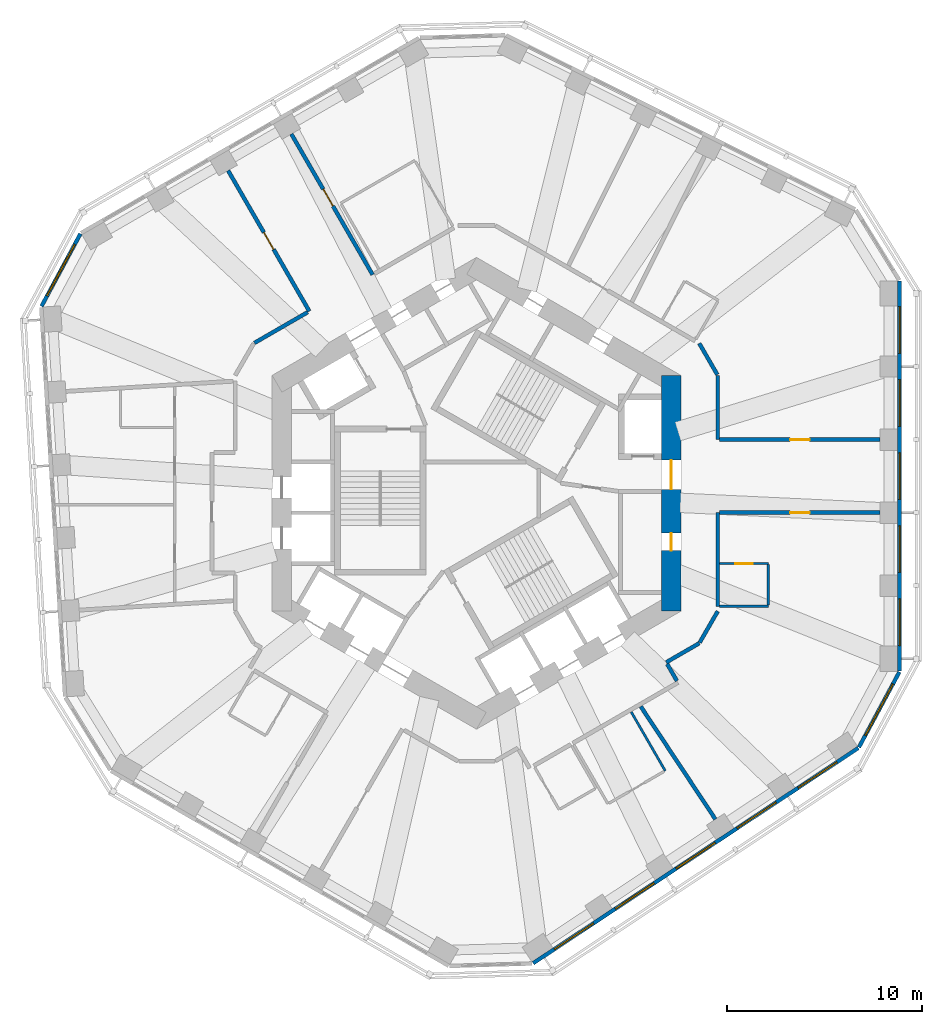
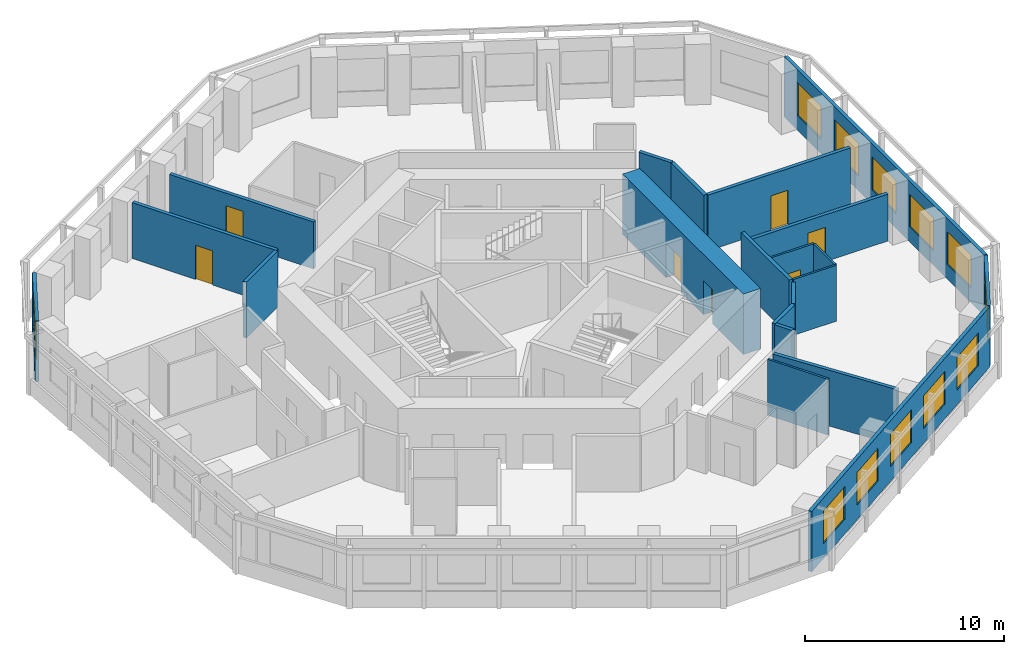
# One storey, part 6 of 11: 21 walls, 12 windows, 7 doors, 19 openings.
"""IFC4 building model written with IfcOpenShell, lengths in metres."""

from ifc_helpers import new_model, si_unit, direction, frame, frame_2d, origin, place, context, subcontext, project, spatial, rectangle, extrude, material, layer, layer_set, type_object, element, fill, save


model = new_model("IFC4")

# Units and contexts
model_context = context("Model", 3, precision=1e-05, world=origin(), true_north=direction((0.0, 1.0)))
body_context = subcontext(model_context, "Body", "Model", "MODEL_VIEW")
ifc_project = project(units=[si_unit("LENGTHUNIT", "METRE"), si_unit("AREAUNIT", "SQUARE_METRE"), si_unit("VOLUMEUNIT", "CUBIC_METRE"), si_unit("PLANEANGLEUNIT", "RADIAN"), si_unit("MASSUNIT", "GRAM", prefix="KILO")], contexts=[model_context])

# Site, building, storey
site_placement = place(None, origin())
site = spatial("IfcSite", under=ifc_project, at=site_placement, CompositionType="ELEMENT")
building_placement = place(site_placement, origin())
building = spatial("IfcBuilding", under=site, at=building_placement, Name="Vanh Sen Convention Tower", CompositionType="ELEMENT")
storey_placement = place(building_placement, frame((0.0, 0.0, 146.60009765625)))
storey = spatial("IfcBuildingStorey", under=building, at=storey_placement, Name="L35", CompositionType="ELEMENT", Elevation=146.60009765625)

# Wall
ifc_material_1 = material(Name="Moisture-resistant gypsum board on steel studs", Category="steel")
ifc_layer_1 = layer(ifc_material_1, 0.1201171875)
ifc_layer_set_1 = layer_set([ifc_layer_1], Name="Moisture-resistant gypsum board on steel studs")
wall_type_1 = type_object("IfcWallType", Name="Bathroom partition 120", PredefinedType="PARTITIONING", material=ifc_layer_set_1)
wall_1_placement = place(storey_placement, frame((7.949462890625, -11.23095703125, 0.0), z_axis=(0.0, 0.0, 1.0), x_axis=(0.500010275428, -0.866019471182, 0.0)))
element("IfcWall", 1, at=wall_1_placement, inside=storey, type_object=wall_type_1, Name="Bathroom partition 120", PredefinedType="PARTITIONING", context=body_context, shape_type="SweptSolid", body=[
    extrude(rectangle(XDim=3.5, YDim=0.1201171875, at=frame_2d((1.75, 0.0))), origin(), (0.0, 0.0, 1.0), 3.419921875),
])

# Wall, opening, door
wall_2_placement = place(storey_placement, frame((12.5, -3.6123046875, 0.0), z_axis=(0.0, 0.0, 1.0), x_axis=(1.0, 0.0, 0.0)))
wall_2 = element("IfcWall", 2, at=wall_2_placement, inside=storey, type_object=wall_type_1, Name="Bathroom partition 120", PredefinedType="PARTITIONING", context=body_context, shape_type="SweptSolid", body=[
    extrude(rectangle(XDim=2.5, YDim=0.1201171875, at=frame_2d((1.25, 0.0))), origin(), (0.0, 0.0, 1.0), 3.419921875),
])
opening_1_placement = place(wall_2_placement, frame((0.800048828125, 0.0, 0.0)))
opening_1 = element("IfcOpeningElement", 3, at=opening_1_placement, cuts=wall_2, Name="Opening D35117", PredefinedType="OPENING", context=body_context, shape_type="SweptSolid", body=[
    extrude(rectangle(XDim=0.89990234375, YDim=2.10009765625, at=frame_2d((0.449951171875, 1.050048828125))), frame((0.0, 0.070068359375, 0.0), z_axis=(0.0, -1.0, 0.0), x_axis=(1.0, 0.0, 0.0)), (0.0, 0.0, 1.0), 0.14013671875),
])
ifc_material_2 = material(Name="Laminate door in steel frame", Category="steel")
door_type_1 = type_object("IfcDoorType", Name="Room internal door 900", OperationType="SINGLE_SWING_LEFT", PredefinedType="DOOR", material=ifc_material_2)
door_1_placement = place(opening_1_placement, origin())
door_1 = element("IfcDoor", 4, at=door_1_placement, inside=storey, type_object=door_type_1, Name="Internal room door D35117", OperationType="SINGLE_SWING_LEFT", OverallHeight=2.10009765625, OverallWidth=0.89990234375, PredefinedType="DOOR", context=body_context, shape_type="SweptSolid", body=[
    extrude(rectangle(XDim=0.89990234375, YDim=2.10009765625, at=frame_2d((0.449951171875, 1.050048828125))), frame((0.0, 0.02490234375, 0.0), z_axis=(0.0, -1.0, 0.0), x_axis=(1.0, 0.0, 0.0)), (0.0, 0.0, 1.0), 0.050048828125),
])
fill(opening_1, door_1)

# Walls
wall_3_placement = place(storey_placement, frame((15.0, -5.812255859375, 0.0), z_axis=(0.0, 0.0, 1.0), x_axis=(-1.0, 0.0, 0.0)))
element("IfcWall", 5, at=wall_3_placement, inside=storey, type_object=wall_type_1, Name="Bathroom partition 120", PredefinedType="PARTITIONING", context=body_context, shape_type="SweptSolid", body=[
    extrude(rectangle(XDim=2.5, YDim=0.1201171875, at=frame_2d((1.25, 0.0))), origin(), (0.0, 0.0, 1.0), 3.419921875),
])
wall_4_placement = place(storey_placement, frame((15.0, -3.672119140625, 0.0), z_axis=(0.0, 0.0, 1.0), x_axis=(0.0, -1.0, 0.0)))
element("IfcWall", 6, at=wall_4_placement, inside=storey, type_object=wall_type_1, Name="Bathroom partition 120", PredefinedType="PARTITIONING", context=body_context, shape_type="SweptSolid", body=[
    extrude(rectangle(XDim=2.080078125, YDim=0.1201171875, at=frame_2d((1.0400390625, 0.0))), origin(), (0.0, 0.0, 1.0), 3.419921875),
])

# Wall, openings, doors
ifc_material_3 = material(Name="Concrete C80/95", Category="concrete")
ifc_layer_2 = layer(ifc_material_3, 1.0)
ifc_layer_set_2 = layer_set([ifc_layer_2], Name="Concrete C80/95")
wall_type_2 = type_object("IfcWallType", Name="Core outer wall 1000 C80/95", PredefinedType="SHEAR", material=ifc_layer_set_2)
wall_5_placement = place(storey_placement, frame((10.0, -6.062255859375, 0.0), z_axis=(0.0, 0.0, 1.0), x_axis=(0.0, 1.0, 0.0)))
wall_5 = element("IfcWall", 7, at=wall_5_placement, inside=storey, type_object=wall_type_2, Name="Core wall face E L35", PredefinedType="SHEAR", context=body_context, shape_type="SweptSolid", body=[
    extrude(rectangle(XDim=12.12451171875, YDim=1.0, at=frame_2d((6.062255859375, 0.0))), origin(), (0.0, 0.0, 1.0), 3.699951171875),
])
opening_2_placement = place(wall_5_placement, frame((6.26220703125, 0.0, 0.0)))
opening_2 = element("IfcOpeningElement", 8, at=opening_2_placement, cuts=wall_5, Name="Opening D35001", PredefinedType="OPENING", context=body_context, shape_type="SweptSolid", body=[
    extrude(rectangle(XDim=1.5, YDim=2.10009765625, at=frame_2d((0.75, 1.050048828125))), frame((0.0, 0.510009765625, 0.0), z_axis=(0.0, -1.0, 0.0), x_axis=(1.0, 0.0, 0.0)), (0.0, 0.0, 1.0), 1.02001953125),
])
opening_3_placement = place(wall_5_placement, frame((3.1123046875, 0.0, 0.0)))
opening_3 = element("IfcOpeningElement", 9, at=opening_3_placement, cuts=wall_5, Name="Opening D35010", PredefinedType="OPENING", context=body_context, shape_type="SweptSolid", body=[
    extrude(rectangle(XDim=0.89990234375, YDim=2.10009765625, at=frame_2d((0.449951171875, 1.050048828125))), frame((0.0, 0.510009765625, 0.0), z_axis=(0.0, -1.0, 0.0), x_axis=(1.0, 0.0, 0.0)), (0.0, 0.0, 1.0), 1.02001953125),
])
ifc_material_4 = material(Name="Steel S355", Category="steel")
door_type_2 = type_object("IfcDoorType", Name="Plant door 900", OperationType="SINGLE_SWING_LEFT", PredefinedType="DOOR", material=ifc_material_4)
door_2_placement = place(opening_3_placement, origin())
door_2 = element("IfcDoor", 10, at=door_2_placement, inside=storey, type_object=door_type_2, Name="Plant door D35010", OperationType="SINGLE_SWING_LEFT", OverallHeight=2.10009765625, OverallWidth=0.89990234375, PredefinedType="DOOR", context=body_context, shape_type="SweptSolid", body=[
    extrude(rectangle(XDim=0.89990234375, YDim=2.10009765625, at=frame_2d((0.449951171875, 1.050048828125))), frame((0.0, 0.02490234375, 0.0), z_axis=(0.0, -1.0, 0.0), x_axis=(1.0, 0.0, 0.0)), (0.0, 0.0, 1.0), 0.050048828125),
])
fill(opening_3, door_2)
door_type_3 = type_object("IfcDoorType", Name="Stair lobby door 1500", OperationType="DOUBLE_DOOR_SINGLE_SWING", PredefinedType="DOOR", material=ifc_material_4)
door_3_placement = place(opening_2_placement, origin())
door_3 = element("IfcDoor", 11, at=door_3_placement, inside=storey, type_object=door_type_3, Name="Stair lobby door D35001", OperationType="DOUBLE_DOOR_SINGLE_SWING", OverallHeight=2.10009765625, OverallWidth=1.5, PredefinedType="DOOR", context=body_context, shape_type="SweptSolid", body=[
    extrude(rectangle(XDim=1.5, YDim=2.10009765625, at=frame_2d((0.75, 1.050048828125))), frame((0.0, 0.02490234375, 0.0), z_axis=(0.0, -1.0, 0.0), x_axis=(1.0, 0.0, 0.0)), (0.0, 0.0, 1.0), 0.050048828125),
])
fill(opening_2, door_3)

# Wall, opening, door
ifc_material_5 = material(Name="Gypsum board on steel studs with mineral wool", Category="steel")
ifc_layer_3 = layer(ifc_material_5, 0.199951171875)
ifc_layer_set_3 = layer_set([ifc_layer_3], Name="Gypsum board on steel studs with mineral wool")
wall_type_3 = type_object("IfcWallType", Name="Corridor partition wall 200", PredefinedType="PARTITIONING", material=ifc_layer_set_3)
wall_6_placement = place(storey_placement, frame((-12.766357421875, 16.58935546875, 0.0), z_axis=(0.0, 0.0, 1.0), x_axis=(0.500010139422, -0.866019549707, 0.0)))
wall_6 = element("IfcWall", 12, at=wall_6_placement, inside=storey, type_object=wall_type_3, Name="Corridor partition wall 200", PredefinedType="PARTITIONING", context=body_context, shape_type="SweptSolid", body=[
    extrude(rectangle(XDim=8.349853515625, YDim=0.199951171875, at=frame_2d((4.1748046875, 0.0))), origin(), (0.0, 0.0, 1.0), 3.419921875),
])
opening_4_placement = place(wall_6_placement, frame((3.675048828125, 0.0, 0.0)))
opening_4 = element("IfcOpeningElement", 13, at=opening_4_placement, cuts=wall_6, Name="Opening D35106", PredefinedType="OPENING", context=body_context, shape_type="SweptSolid", body=[
    extrude(rectangle(XDim=1.0, YDim=2.10009765625, at=frame_2d((0.5, 1.050048828125))), frame((0.0, 0.10986328125, 0.0), z_axis=(0.0, -1.0, 0.0), x_axis=(1.0, 0.0, 0.0)), (0.0, 0.0, 1.0), 0.219970703125),
])
ifc_material_6 = material(Name="Glazed fire door in steel frame", Category="steel")
door_type_4 = type_object("IfcDoorType", Name="Tenant entrance door 1000", OperationType="SINGLE_SWING_LEFT", PredefinedType="DOOR", material=ifc_material_6)
door_4_placement = place(opening_4_placement, origin())
door_4 = element("IfcDoor", 14, at=door_4_placement, inside=storey, type_object=door_type_4, Name="Tenant suite entrance door D35106", OperationType="SINGLE_SWING_LEFT", OverallHeight=2.10009765625, OverallWidth=1.0, PredefinedType="DOOR", context=body_context, shape_type="SweptSolid", body=[
    extrude(rectangle(XDim=1.0, YDim=2.10009765625, at=frame_2d((0.5, 1.050048828125))), frame((0.0, 0.02490234375, 0.0), z_axis=(0.0, -1.0, 0.0), x_axis=(1.0, 0.0, 0.0)), (0.0, 0.0, 1.0), 0.050048828125),
])
fill(opening_4, door_4)

wall_7_placement = place(storey_placement, frame((-9.51513671875, 18.46630859375, 0.0), z_axis=(0.0, 0.0, 1.0), x_axis=(0.500010139422, -0.866019549707, 0.0)))
wall_7 = element("IfcWall", 15, at=wall_7_placement, inside=storey, type_object=wall_type_3, Name="Corridor partition wall 200", PredefinedType="PARTITIONING", context=body_context, shape_type="SweptSolid", body=[
    extrude(rectangle(XDim=8.349853515625, YDim=0.199951171875, at=frame_2d((4.1748046875, 0.0))), origin(), (0.0, 0.0, 1.0), 2.869873046875),
])
opening_5_placement = place(wall_7_placement, frame((3.27490234375, 0.0, 0.0)))
opening_5 = element("IfcOpeningElement", 16, at=opening_5_placement, cuts=wall_7, Name="Opening D35104", PredefinedType="OPENING", context=body_context, shape_type="SweptSolid", body=[
    extrude(rectangle(XDim=1.0, YDim=2.10009765625, at=frame_2d((0.5, 1.050048828125))), frame((0.0, 0.10986328125, 0.0), z_axis=(0.0, -1.0, 0.0), x_axis=(1.0, 0.0, 0.0)), (0.0, 0.0, 1.0), 0.219970703125),
])
door_5_placement = place(opening_5_placement, origin())
door_5 = element("IfcDoor", 17, at=door_5_placement, inside=storey, type_object=door_type_4, Name="Tenant suite entrance door D35104", OperationType="SINGLE_SWING_LEFT", OverallHeight=2.10009765625, OverallWidth=1.0, PredefinedType="DOOR", context=body_context, shape_type="SweptSolid", body=[
    extrude(rectangle(XDim=1.0, YDim=2.10009765625, at=frame_2d((0.5, 1.050048828125))), frame((0.0, 0.02490234375, 0.0), z_axis=(0.0, -1.0, 0.0), x_axis=(1.0, 0.0, 0.0)), (0.0, 0.0, 1.0), 0.050048828125),
])
fill(opening_5, door_5)

# Walls
wall_8_placement = place(storey_placement, frame((-8.677978515625, 9.30810546875, 0.0), z_axis=(0.0, 0.0, 1.0), x_axis=(-0.866000359435, -0.500043375578, 0.0)))
element("IfcWall", 18, at=wall_8_placement, inside=storey, type_object=wall_type_3, Name="Corridor partition wall 200", PredefinedType="PARTITIONING", context=body_context, shape_type="SweptSolid", body=[
    extrude(rectangle(XDim=3.160888671875, YDim=0.199951171875, at=frame_2d((1.58056640625, 0.0))), origin(), (0.0, 0.0, 1.0), 3.419921875),
])
wall_9_placement = place(storey_placement, frame((9.751708984375, -8.688232421875, 0.0), z_axis=(0.0, 0.0, 1.0), x_axis=(0.865974105138, 0.500088841337, 0.0)))
element("IfcWall", 19, at=wall_9_placement, inside=storey, type_object=wall_type_3, Name="Corridor partition wall 200", PredefinedType="PARTITIONING", context=body_context, shape_type="SweptSolid", body=[
    extrude(rectangle(XDim=1.961181640625, YDim=0.199951171875, at=frame_2d((0.98046875, 0.0))), origin(), (0.0, 0.0, 1.0), 3.419921875),
])
wall_10_placement = place(storey_placement, frame((10.302001953125, -9.6416015625, 0.0), z_axis=(0.0, 0.0, 1.0), x_axis=(-0.500074377092, 0.865982457891, 0.0)))
element("IfcWall", 20, at=wall_10_placement, inside=storey, type_object=wall_type_3, Name="Corridor partition wall 200", PredefinedType="PARTITIONING", context=body_context, shape_type="SweptSolid", body=[
    extrude(rectangle(XDim=1.000732421875, YDim=0.199951171875, at=frame_2d((0.50048828125, 0.0))), origin(), (0.0, 0.0, 1.0), 3.419921875),
])
for number, where, z_axis, x_axis, name in (
    (21, (11.469970703125, -7.673095703125, 0.0), (0.0, 0.0, 1.0), (0.499964847546, 0.866045698112, 0.0), "Corridor partition wall 200"),
    (22, (12.3798828125, 6.0966796875, 0.0), (0.0, 0.0, 1.0), (-0.499964847546, 0.866045698112, 0.0), "Corridor partition wall 200"),
):
    element("IfcWall", number, at=place(storey_placement, frame(where, z_axis=z_axis, x_axis=x_axis)), inside=storey, type_object=wall_type_3, Name=name, PredefinedType="PARTITIONING", context=body_context, shape_type="SweptSolid", body=[
        extrude(rectangle(XDim=1.860107421875, YDim=0.199951171875, at=frame_2d((0.93017578125, 0.0))), origin(), (0.0, 0.0, 1.0), 3.419921875),
    ])
wall_11_placement = place(storey_placement, frame((12.39990234375, -5.812255859375, 0.0), z_axis=(0.0, 0.0, 1.0), x_axis=(0.0, 1.0, 0.0)))
element("IfcWall", 23, at=wall_11_placement, inside=storey, type_object=wall_type_3, Name="Corridor partition wall 200", PredefinedType="PARTITIONING", context=body_context, shape_type="SweptSolid", body=[
    extrude(rectangle(XDim=4.8193359375, YDim=0.199951171875, at=frame_2d((2.40966796875, 0.0))), origin(), (0.0, 0.0, 1.0), 3.419921875),
])
wall_12_placement = place(storey_placement, frame((12.39990234375, 2.76123046875, 0.0), z_axis=(0.0, 0.0, 1.0), x_axis=(0.0, 1.0, 0.0)))
element("IfcWall", 24, at=wall_12_placement, inside=storey, type_object=wall_type_3, Name="Corridor partition wall 200", PredefinedType="PARTITIONING", context=body_context, shape_type="SweptSolid", body=[
    extrude(rectangle(XDim=3.301025390625, YDim=0.199951171875, at=frame_2d((1.650390625, 0.0))), origin(), (0.0, 0.0, 1.0), 3.419921875),
])

# Wall, opening, door
wall_13_placement = place(storey_placement, frame((12.5, -0.992919921875, 0.0), z_axis=(0.0, 0.0, 1.0), x_axis=(1.0, 0.0, 0.0)))
wall_13 = element("IfcWall", 25, at=wall_13_placement, inside=storey, type_object=wall_type_3, Name="Corridor partition wall 200", PredefinedType="PARTITIONING", context=body_context, shape_type="SweptSolid", body=[
    extrude(rectangle(XDim=8.25, YDim=0.199951171875, at=frame_2d((4.125, 0.0))), origin(), (0.0, 0.0, 1.0), 2.869873046875),
])
opening_6_placement = place(wall_13_placement, frame((3.625, 0.0, 0.0)))
opening_6 = element("IfcOpeningElement", 26, at=opening_6_placement, cuts=wall_13, Name="Opening D35116", PredefinedType="OPENING", context=body_context, shape_type="SweptSolid", body=[
    extrude(rectangle(XDim=1.0, YDim=2.10009765625, at=frame_2d((0.5, 1.050048828125))), frame((0.0, 0.10986328125, 0.0), z_axis=(0.0, -1.0, 0.0), x_axis=(1.0, 0.0, 0.0)), (0.0, 0.0, 1.0), 0.219970703125),
])
door_6_placement = place(opening_6_placement, origin())
door_6 = element("IfcDoor", 27, at=door_6_placement, inside=storey, type_object=door_type_4, Name="Tenant suite entrance door D35116", OperationType="SINGLE_SWING_LEFT", OverallHeight=2.10009765625, OverallWidth=1.0, PredefinedType="DOOR", context=body_context, shape_type="SweptSolid", body=[
    extrude(rectangle(XDim=1.0, YDim=2.10009765625, at=frame_2d((0.5, 1.050048828125))), frame((0.0, 0.02490234375, 0.0), z_axis=(0.0, -1.0, 0.0), x_axis=(1.0, 0.0, 0.0)), (0.0, 0.0, 1.0), 0.050048828125),
])
fill(opening_6, door_6)

wall_14_placement = place(storey_placement, frame((20.75, 2.76123046875, 0.0), z_axis=(0.0, 0.0, 1.0), x_axis=(-1.0, 0.0, 0.0)))
wall_14 = element("IfcWall", 28, at=wall_14_placement, inside=storey, type_object=wall_type_3, Name="Corridor partition wall 200", PredefinedType="PARTITIONING", context=body_context, shape_type="SweptSolid", body=[
    extrude(rectangle(XDim=8.25, YDim=0.199951171875, at=frame_2d((4.125, 0.0))), origin(), (0.0, 0.0, 1.0), 3.419921875),
])
opening_7_placement = place(wall_14_placement, frame((3.625, 0.0, 0.0)))
opening_7 = element("IfcOpeningElement", 29, at=opening_7_placement, cuts=wall_14, Name="Opening D35101", PredefinedType="OPENING", context=body_context, shape_type="SweptSolid", body=[
    extrude(rectangle(XDim=1.0, YDim=2.10009765625, at=frame_2d((0.5, 1.050048828125))), frame((0.0, 0.10986328125, 0.0), z_axis=(0.0, -1.0, 0.0), x_axis=(1.0, 0.0, 0.0)), (0.0, 0.0, 1.0), 0.219970703125),
])
door_7_placement = place(opening_7_placement, origin())
door_7 = element("IfcDoor", 30, at=door_7_placement, inside=storey, type_object=door_type_4, Name="Tenant suite entrance door D35101", OperationType="SINGLE_SWING_LEFT", OverallHeight=2.10009765625, OverallWidth=1.0, PredefinedType="DOOR", context=body_context, shape_type="SweptSolid", body=[
    extrude(rectangle(XDim=1.0, YDim=2.10009765625, at=frame_2d((0.5, 1.050048828125))), frame((0.0, 0.02490234375, 0.0), z_axis=(0.0, -1.0, 0.0), x_axis=(1.0, 0.0, 0.0)), (0.0, 0.0, 1.0), 0.050048828125),
])
fill(opening_7, door_7)

# Wall, openings, windows
ifc_material_7 = material(Name="Insulated lightweight infill wall")
ifc_layer_4 = layer(ifc_material_7, 0.199951171875)
ifc_layer_set_4 = layer_set([ifc_layer_4], Name="Insulated lightweight infill wall")
wall_type_4 = type_object("IfcWallType", Name="External wall 200", PredefinedType="STANDARD", material=ifc_layer_set_4)
wall_15_placement = place(storey_placement, frame((21.75, -9.138427734375, 0.0), z_axis=(0.0, 0.0, 1.0), x_axis=(0.0, 1.0, 0.0)))
wall_15 = element("IfcWall", 31, at=wall_15_placement, inside=storey, type_object=wall_type_4, Name="External wall E L35", PredefinedType="STANDARD", context=body_context, shape_type="SweptSolid", body=[
    extrude(rectangle(XDim=20.043701171875, YDim=0.199951171875, at=frame_2d((10.02197265625, 0.0))), origin(), (0.0, 0.0, 1.0), 3.699951171875),
])
opening_8_placement = place(wall_15_placement, frame((1.314453125, 0.0, 0.89990234375)))
opening_8 = element("IfcOpeningElement", 32, at=opening_8_placement, cuts=wall_15, Name="Opening WO1-E1", PredefinedType="OPENING", context=body_context, shape_type="SweptSolid", body=[
    extrude(rectangle(XDim=2.39990234375, YDim=2.0, at=frame_2d((1.199951171875, 1.0))), frame((0.0, 0.10986328125, 0.0), z_axis=(0.0, -1.0, 0.0), x_axis=(1.0, 0.0, 0.0)), (0.0, 0.0, 1.0), 0.219970703125),
])
opening_9_placement = place(wall_15_placement, frame((5.068603515625, 0.0, 0.89990234375)))
opening_9 = element("IfcOpeningElement", 33, at=opening_9_placement, cuts=wall_15, Name="Opening WO1-E2", PredefinedType="OPENING", context=body_context, shape_type="SweptSolid", body=[
    extrude(rectangle(XDim=2.39990234375, YDim=2.0, at=frame_2d((1.199951171875, 1.0))), frame((0.0, 0.10986328125, 0.0), z_axis=(0.0, -1.0, 0.0), x_axis=(1.0, 0.0, 0.0)), (0.0, 0.0, 1.0), 0.219970703125),
])
opening_10_placement = place(wall_15_placement, frame((8.82275390625, 0.0, 0.89990234375)))
opening_10 = element("IfcOpeningElement", 34, at=opening_10_placement, cuts=wall_15, Name="Opening WO1-E3", PredefinedType="OPENING", context=body_context, shape_type="SweptSolid", body=[
    extrude(rectangle(XDim=2.39990234375, YDim=2.0, at=frame_2d((1.199951171875, 1.0))), frame((0.0, 0.10986328125, 0.0), z_axis=(0.0, -1.0, 0.0), x_axis=(1.0, 0.0, 0.0)), (0.0, 0.0, 1.0), 0.219970703125),
])
opening_11_placement = place(wall_15_placement, frame((12.576904296875, 0.0, 0.89990234375)))
opening_11 = element("IfcOpeningElement", 35, at=opening_11_placement, cuts=wall_15, Name="Opening WO1-E4", PredefinedType="OPENING", context=body_context, shape_type="SweptSolid", body=[
    extrude(rectangle(XDim=2.39990234375, YDim=2.0, at=frame_2d((1.199951171875, 1.0))), frame((0.0, 0.10986328125, 0.0), z_axis=(0.0, -1.0, 0.0), x_axis=(1.0, 0.0, 0.0)), (0.0, 0.0, 1.0), 0.219970703125),
])
opening_12_placement = place(wall_15_placement, frame((16.330810546875, 0.0, 0.89990234375)))
opening_12 = element("IfcOpeningElement", 36, at=opening_12_placement, cuts=wall_15, Name="Opening WO1-E5", PredefinedType="OPENING", context=body_context, shape_type="SweptSolid", body=[
    extrude(rectangle(XDim=2.39990234375, YDim=2.0, at=frame_2d((1.199951171875, 1.0))), frame((0.0, 0.10986328125, 0.0), z_axis=(0.0, -1.0, 0.0), x_axis=(1.0, 0.0, 0.0)), (0.0, 0.0, 1.0), 0.219970703125),
])
ifc_material_8 = material(Name="Aluminium frame with clear low-emissivity glass", Category="aluminium")
window_type_1 = type_object("IfcWindowType", Name="Office window 2400 x 2000", PartitioningType="SINGLE_PANEL", PredefinedType="WINDOW", material=ifc_material_8)
window_1_placement = place(opening_8_placement, origin())
window_1 = element("IfcWindow", 37, at=window_1_placement, inside=storey, type_object=window_type_1, Name="Window WO1-E1", OverallHeight=2.0, OverallWidth=2.39990234375, PartitioningType="SINGLE_PANEL", PredefinedType="WINDOW", context=body_context, shape_type="SweptSolid", body=[
    extrude(rectangle(XDim=2.39990234375, YDim=2.0, at=frame_2d((1.199951171875, 1.0))), frame((0.0, 0.030029296875, 0.0), z_axis=(0.0, -1.0, 0.0), x_axis=(1.0, 0.0, 0.0)), (0.0, 0.0, 1.0), 0.06005859375),
])
fill(opening_8, window_1)
window_2_placement = place(opening_9_placement, origin())
window_2 = element("IfcWindow", 38, at=window_2_placement, inside=storey, type_object=window_type_1, Name="Window WO1-E2", OverallHeight=2.0, OverallWidth=2.39990234375, PartitioningType="SINGLE_PANEL", PredefinedType="WINDOW", context=body_context, shape_type="SweptSolid", body=[
    extrude(rectangle(XDim=2.39990234375, YDim=2.0, at=frame_2d((1.199951171875, 1.0))), frame((0.0, 0.030029296875, 0.0), z_axis=(0.0, -1.0, 0.0), x_axis=(1.0, 0.0, 0.0)), (0.0, 0.0, 1.0), 0.06005859375),
])
fill(opening_9, window_2)
window_3_placement = place(opening_10_placement, origin())
window_3 = element("IfcWindow", 39, at=window_3_placement, inside=storey, type_object=window_type_1, Name="Window WO1-E3", OverallHeight=2.0, OverallWidth=2.39990234375, PartitioningType="SINGLE_PANEL", PredefinedType="WINDOW", context=body_context, shape_type="SweptSolid", body=[
    extrude(rectangle(XDim=2.39990234375, YDim=2.0, at=frame_2d((1.199951171875, 1.0))), frame((0.0, 0.030029296875, 0.0), z_axis=(0.0, -1.0, 0.0), x_axis=(1.0, 0.0, 0.0)), (0.0, 0.0, 1.0), 0.06005859375),
])
fill(opening_10, window_3)
window_4_placement = place(opening_11_placement, origin())
window_4 = element("IfcWindow", 40, at=window_4_placement, inside=storey, type_object=window_type_1, Name="Window WO1-E4", OverallHeight=2.0, OverallWidth=2.39990234375, PartitioningType="SINGLE_PANEL", PredefinedType="WINDOW", context=body_context, shape_type="SweptSolid", body=[
    extrude(rectangle(XDim=2.39990234375, YDim=2.0, at=frame_2d((1.199951171875, 1.0))), frame((0.0, 0.030029296875, 0.0), z_axis=(0.0, -1.0, 0.0), x_axis=(1.0, 0.0, 0.0)), (0.0, 0.0, 1.0), 0.06005859375),
])
fill(opening_11, window_4)
window_5_placement = place(opening_12_placement, origin())
window_5 = element("IfcWindow", 41, at=window_5_placement, inside=storey, type_object=window_type_1, Name="Window WO1-E5", OverallHeight=2.0, OverallWidth=2.39990234375, PartitioningType="SINGLE_PANEL", PredefinedType="WINDOW", context=body_context, shape_type="SweptSolid", body=[
    extrude(rectangle(XDim=2.39990234375, YDim=2.0, at=frame_2d((1.199951171875, 1.0))), frame((0.0, 0.030029296875, 0.0), z_axis=(0.0, -1.0, 0.0), x_axis=(1.0, 0.0, 0.0)), (0.0, 0.0, 1.0), 0.06005859375),
])
fill(opening_12, window_5)

# Wall, opening, window
wall_16_placement = place(storey_placement, frame((-20.357421875, 13.343994140625, 0.0), z_axis=(0.0, 0.0, 1.0), x_axis=(-0.473288913494, -0.880907262068, 0.0)))
wall_16 = element("IfcWall", 42, at=wall_16_placement, inside=storey, type_object=wall_type_4, Name="External wall CH3 L35", PredefinedType="STANDARD", context=body_context, shape_type="SweptSolid", body=[
    extrude(rectangle(XDim=4.238037109375, YDim=0.199951171875, at=frame_2d((2.119140625, 0.0))), origin(), (0.0, 0.0, 1.0), 3.699951171875),
])
opening_13_placement = place(wall_16_placement, frame((0.619140625, 0.0, 0.89990234375)))
opening_13 = element("IfcOpeningElement", 43, at=opening_13_placement, cuts=wall_16, Name="Opening WO2-CH31", PredefinedType="OPENING", context=body_context, shape_type="SweptSolid", body=[
    extrude(rectangle(XDim=3.0, YDim=2.0, at=frame_2d((1.5, 1.0))), frame((0.0, 0.10986328125, 0.0), z_axis=(0.0, -1.0, 0.0), x_axis=(1.0, 0.0, 0.0)), (0.0, 0.0, 1.0), 0.219970703125),
])
window_type_2 = type_object("IfcWindowType", Name="Office window 3000 x 2000", PartitioningType="SINGLE_PANEL", PredefinedType="WINDOW", material=ifc_material_8)
window_6_placement = place(opening_13_placement, origin())
window_6 = element("IfcWindow", 44, at=window_6_placement, inside=storey, type_object=window_type_2, Name="Window WO2-CH31", OverallHeight=2.0, OverallWidth=3.0, PartitioningType="SINGLE_PANEL", PredefinedType="WINDOW", context=body_context, shape_type="SweptSolid", body=[
    extrude(rectangle(XDim=3.0, YDim=2.0, at=frame_2d((1.5, 1.0))), frame((0.0, 0.030029296875, 0.0), z_axis=(0.0, -1.0, 0.0), x_axis=(1.0, 0.0, 0.0)), (0.0, 0.0, 1.0), 0.06005859375),
])
fill(opening_13, window_6)

# Wall, openings, windows
wall_17_placement = place(storey_placement, frame((2.910888671875, -24.156005859375, 0.0), z_axis=(0.0, 0.0, 1.0), x_axis=(0.833882163564, 0.551942512668, 0.0)))
wall_17 = element("IfcWall", 45, at=wall_17_placement, inside=storey, type_object=wall_type_4, Name="External wall SE L35", PredefinedType="STANDARD", context=body_context, shape_type="SweptSolid", body=[
    extrude(rectangle(XDim=20.043701171875, YDim=0.199951171875, at=frame_2d((10.02197265625, 0.0))), origin(), (0.0, 0.0, 1.0), 3.699951171875),
])
opening_14_placement = place(wall_17_placement, frame((1.312744140625, 0.0, 0.89990234375)))
opening_14 = element("IfcOpeningElement", 46, at=opening_14_placement, cuts=wall_17, Name="Opening WO1-SE1", PredefinedType="OPENING", context=body_context, shape_type="SweptSolid", body=[
    extrude(rectangle(XDim=2.39990234375, YDim=2.0, at=frame_2d((1.199951171875, 1.0))), frame((0.0, 0.10986328125, 0.0), z_axis=(0.0, -1.0, 0.0), x_axis=(1.0, 0.0, 0.0)), (0.0, 0.0, 1.0), 0.219970703125),
])
opening_15_placement = place(wall_17_placement, frame((5.06689453125, 0.0, 0.89990234375)))
opening_15 = element("IfcOpeningElement", 47, at=opening_15_placement, cuts=wall_17, Name="Opening WO1-SE2", PredefinedType="OPENING", context=body_context, shape_type="SweptSolid", body=[
    extrude(rectangle(XDim=2.39990234375, YDim=2.0, at=frame_2d((1.199951171875, 1.0))), frame((0.0, 0.10986328125, 0.0), z_axis=(0.0, -1.0, 0.0), x_axis=(1.0, 0.0, 0.0)), (0.0, 0.0, 1.0), 0.219970703125),
])
opening_16_placement = place(wall_17_placement, frame((8.82080078125, 0.0, 0.89990234375)))
opening_16 = element("IfcOpeningElement", 48, at=opening_16_placement, cuts=wall_17, Name="Opening WO1-SE3", PredefinedType="OPENING", context=body_context, shape_type="SweptSolid", body=[
    extrude(rectangle(XDim=2.39990234375, YDim=2.0, at=frame_2d((1.199951171875, 1.0))), frame((0.0, 0.10986328125, 0.0), z_axis=(0.0, -1.0, 0.0), x_axis=(1.0, 0.0, 0.0)), (0.0, 0.0, 1.0), 0.219970703125),
])
opening_17_placement = place(wall_17_placement, frame((12.5751953125, 0.0, 0.89990234375)))
opening_17 = element("IfcOpeningElement", 49, at=opening_17_placement, cuts=wall_17, Name="Opening WO1-SE4", PredefinedType="OPENING", context=body_context, shape_type="SweptSolid", body=[
    extrude(rectangle(XDim=2.39990234375, YDim=2.0, at=frame_2d((1.199951171875, 1.0))), frame((0.0, 0.10986328125, 0.0), z_axis=(0.0, -1.0, 0.0), x_axis=(1.0, 0.0, 0.0)), (0.0, 0.0, 1.0), 0.219970703125),
])
opening_18_placement = place(wall_17_placement, frame((16.3291015625, 0.0, 0.89990234375)))
opening_18 = element("IfcOpeningElement", 50, at=opening_18_placement, cuts=wall_17, Name="Opening WO1-SE5", PredefinedType="OPENING", context=body_context, shape_type="SweptSolid", body=[
    extrude(rectangle(XDim=2.39990234375, YDim=2.0, at=frame_2d((1.199951171875, 1.0))), frame((0.0, 0.10986328125, 0.0), z_axis=(0.0, -1.0, 0.0), x_axis=(1.0, 0.0, 0.0)), (0.0, 0.0, 1.0), 0.219970703125),
])
window_7_placement = place(opening_14_placement, origin())
window_7 = element("IfcWindow", 51, at=window_7_placement, inside=storey, type_object=window_type_1, Name="Window WO1-SE1", OverallHeight=2.0, OverallWidth=2.39990234375, PartitioningType="SINGLE_PANEL", PredefinedType="WINDOW", context=body_context, shape_type="SweptSolid", body=[
    extrude(rectangle(XDim=2.39990234375, YDim=2.0, at=frame_2d((1.199951171875, 1.0))), frame((0.0, 0.030029296875, 0.0), z_axis=(0.0, -1.0, 0.0), x_axis=(1.0, 0.0, 0.0)), (0.0, 0.0, 1.0), 0.06005859375),
])
fill(opening_14, window_7)
window_8_placement = place(opening_15_placement, origin())
window_8 = element("IfcWindow", 52, at=window_8_placement, inside=storey, type_object=window_type_1, Name="Window WO1-SE2", OverallHeight=2.0, OverallWidth=2.39990234375, PartitioningType="SINGLE_PANEL", PredefinedType="WINDOW", context=body_context, shape_type="SweptSolid", body=[
    extrude(rectangle(XDim=2.39990234375, YDim=2.0, at=frame_2d((1.199951171875, 1.0))), frame((0.0, 0.030029296875, 0.0), z_axis=(0.0, -1.0, 0.0), x_axis=(1.0, 0.0, 0.0)), (0.0, 0.0, 1.0), 0.06005859375),
])
fill(opening_15, window_8)
window_9_placement = place(opening_16_placement, origin())
window_9 = element("IfcWindow", 53, at=window_9_placement, inside=storey, type_object=window_type_1, Name="Window WO1-SE3", OverallHeight=2.0, OverallWidth=2.39990234375, PartitioningType="SINGLE_PANEL", PredefinedType="WINDOW", context=body_context, shape_type="SweptSolid", body=[
    extrude(rectangle(XDim=2.39990234375, YDim=2.0, at=frame_2d((1.199951171875, 1.0))), frame((0.0, 0.030029296875, 0.0), z_axis=(0.0, -1.0, 0.0), x_axis=(1.0, 0.0, 0.0)), (0.0, 0.0, 1.0), 0.06005859375),
])
fill(opening_16, window_9)
window_10_placement = place(opening_17_placement, origin())
window_10 = element("IfcWindow", 54, at=window_10_placement, inside=storey, type_object=window_type_1, Name="Window WO1-SE4", OverallHeight=2.0, OverallWidth=2.39990234375, PartitioningType="SINGLE_PANEL", PredefinedType="WINDOW", context=body_context, shape_type="SweptSolid", body=[
    extrude(rectangle(XDim=2.39990234375, YDim=2.0, at=frame_2d((1.199951171875, 1.0))), frame((0.0, 0.030029296875, 0.0), z_axis=(0.0, -1.0, 0.0), x_axis=(1.0, 0.0, 0.0)), (0.0, 0.0, 1.0), 0.06005859375),
])
fill(opening_17, window_10)
window_11_placement = place(opening_18_placement, origin())
window_11 = element("IfcWindow", 55, at=window_11_placement, inside=storey, type_object=window_type_1, Name="Window WO1-SE5", OverallHeight=2.0, OverallWidth=2.39990234375, PartitioningType="SINGLE_PANEL", PredefinedType="WINDOW", context=body_context, shape_type="SweptSolid", body=[
    extrude(rectangle(XDim=2.39990234375, YDim=2.0, at=frame_2d((1.199951171875, 1.0))), frame((0.0, 0.030029296875, 0.0), z_axis=(0.0, -1.0, 0.0), x_axis=(1.0, 0.0, 0.0)), (0.0, 0.0, 1.0), 0.06005859375),
])
fill(opening_18, window_11)

# Wall, opening, window
wall_18_placement = place(storey_placement, frame((19.657958984375, -13.05712890625, 0.0), z_axis=(0.0, 0.0, 1.0), x_axis=(0.473307879841, 0.880897071672, 0.0)))
wall_18 = element("IfcWall", 56, at=wall_18_placement, inside=storey, type_object=wall_type_4, Name="External wall CH6 L35", PredefinedType="STANDARD", context=body_context, shape_type="SweptSolid", body=[
    extrude(rectangle(XDim=4.394775390625, YDim=0.199951171875, at=frame_2d((2.197265625, 0.0))), origin(), (0.0, 0.0, 1.0), 3.699951171875),
])
opening_19_placement = place(wall_18_placement, frame((0.697509765625, 0.0, 0.89990234375)))
opening_19 = element("IfcOpeningElement", 57, at=opening_19_placement, cuts=wall_18, Name="Opening WO2-CH61", PredefinedType="OPENING", context=body_context, shape_type="SweptSolid", body=[
    extrude(rectangle(XDim=3.0, YDim=2.0, at=frame_2d((1.5, 1.0))), frame((0.0, 0.10986328125, 0.0), z_axis=(0.0, -1.0, 0.0), x_axis=(1.0, 0.0, 0.0)), (0.0, 0.0, 1.0), 0.219970703125),
])
window_12_placement = place(opening_19_placement, origin())
window_12 = element("IfcWindow", 58, at=window_12_placement, inside=storey, type_object=window_type_2, Name="Window WO2-CH61", OverallHeight=2.0, OverallWidth=3.0, PartitioningType="SINGLE_PANEL", PredefinedType="WINDOW", context=body_context, shape_type="SweptSolid", body=[
    extrude(rectangle(XDim=3.0, YDim=2.0, at=frame_2d((1.5, 1.0))), frame((0.0, 0.030029296875, 0.0), z_axis=(0.0, -1.0, 0.0), x_axis=(1.0, 0.0, 0.0)), (0.0, 0.0, 1.0), 0.06005859375),
])
fill(opening_19, window_12)

# Wall
ifc_layer_5 = layer(ifc_material_5, 0.199951171875)
ifc_layer_set_5 = layer_set([ifc_layer_5], Name="Gypsum board on steel studs with mineral wool")
wall_type_5 = type_object("IfcWallType", Name="Tenant suite wall 200", PredefinedType="PARTITIONING", material=ifc_layer_set_5)
wall_19_placement = place(storey_placement, frame((12.280517578125, -16.755126953125, 0.0), z_axis=(0.0, 0.0, 1.0), x_axis=(-0.551925794663, 0.833893228888, 0.0)))
element("IfcWall", 59, at=wall_19_placement, inside=storey, type_object=wall_type_5, Name="Tenant suite wall 200", PredefinedType="PARTITIONING", context=body_context, shape_type="SweptSolid", body=[
    extrude(rectangle(XDim=6.95263671875, YDim=0.199951171875, at=frame_2d((3.476318359375, 0.0))), origin(), (0.0, 0.0, 1.0), 3.419921875),
])

save(model, "model.ifc")
